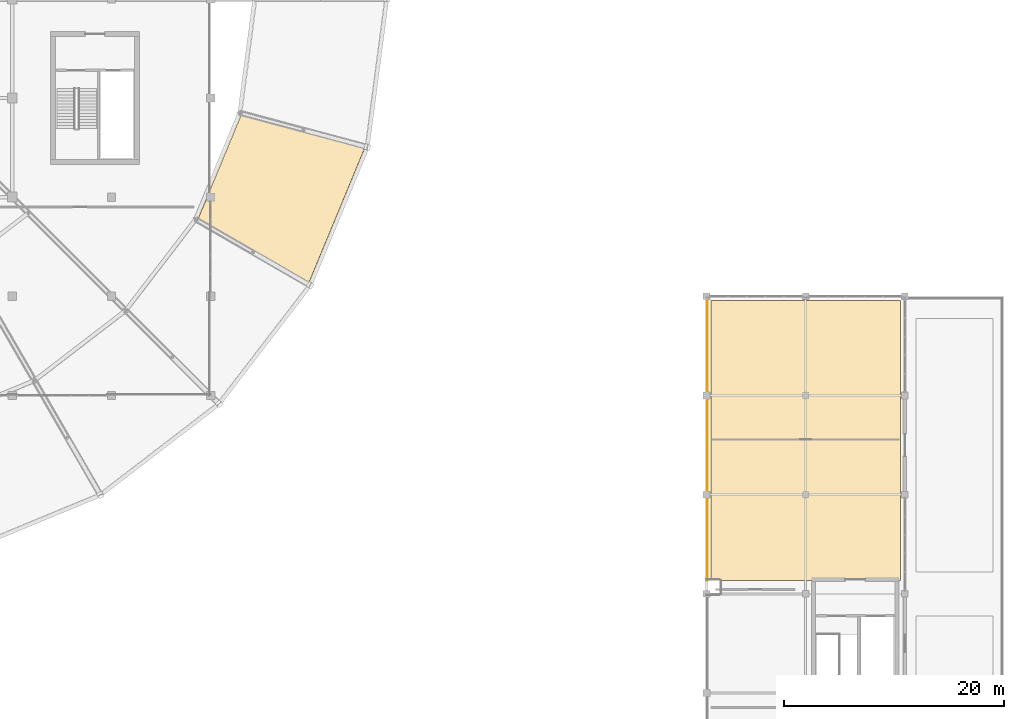
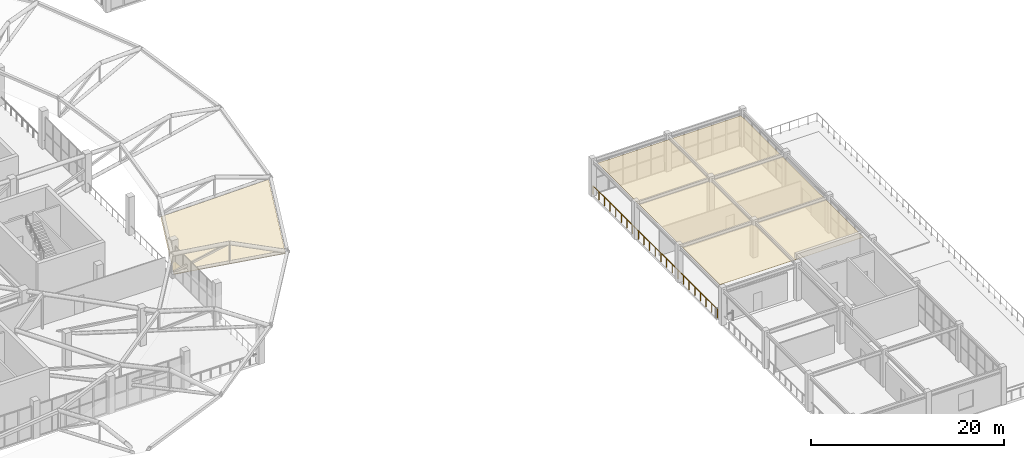
# One storey, part 162 of 167: 2 coverings, 1 railing.
"""IFC4 building model written with IfcOpenShell, lengths in metres."""

from ifc_helpers import new_model, si_unit, direction, frame, origin, origin_2d, place, context, subcontext, project, spatial, polyline, circle, outline, extrude, material, layer, layer_set, type_object, element, save


model = new_model("IFC4")

# Units and contexts
model_context = context("Model", 3, precision=1e-05, world=origin(), true_north=direction((0.0, 1.0)))
body_context = subcontext(model_context, "Body", "Model", "MODEL_VIEW")
ifc_project = project(units=[si_unit("LENGTHUNIT", "METRE"), si_unit("AREAUNIT", "SQUARE_METRE"), si_unit("VOLUMEUNIT", "CUBIC_METRE"), si_unit("PLANEANGLEUNIT", "RADIAN"), si_unit("MASSUNIT", "GRAM", prefix="KILO")], contexts=[model_context])

# Site, building, storey
site_placement = place(None, origin())
site = spatial("IfcSite", under=ifc_project, at=site_placement, CompositionType="ELEMENT")
building_placement = place(site_placement, origin())
building = spatial("IfcBuilding", under=site, at=building_placement, Name="Dornveld Trade and Exhibition Forum", CompositionType="ELEMENT")
storey_placement = place(building_placement, frame((0.0, 0.0, 16.800048828125)))
storey = spatial("IfcBuildingStorey", under=building, at=storey_placement, Name="L03", CompositionType="ELEMENT", Elevation=16.800048828125)

# Coverings
ifc_material_1 = material(Name="Suspended timber-slat acoustic ceiling", Category="wood")
ifc_layer_1 = layer(ifc_material_1, 0.034912109375)
ifc_layer_set_1 = layer_set([ifc_layer_1], Name="Suspended timber-slat acoustic ceiling")
covering_type_1 = type_object("IfcCoveringType", Name="COV-CLG-ACOUST", PredefinedType="CEILING", material=ifc_layer_set_1)
covering_1_placement = place(storey_placement, frame((0.0, 0.0, 4.070068359375)))
element("IfcCovering", 1, at=covering_1_placement, inside=storey, type_object=covering_type_1, Name="L03 acoustic timber-slat ceiling 4", PredefinedType="CEILING", context=body_context, shape_type="SweptSolid", body=[
    extrude(outline(polyline([(198.39990234375, 28.199951171875), (215.60009765625, 28.199951171875), (215.60009765625, 53.60009765625), (198.39990234375, 53.60009765625), (198.39990234375, 28.199951171875)])), origin(), (0.0, 0.0, 1.0), 0.034912109375),
])
ifc_material_2 = material(Name="Acoustic perforated aluminium soffit panel", Category="aluminium")
ifc_layer_2 = layer(ifc_material_2, 0.044921875)
ifc_layer_set_2 = layer_set([ifc_layer_2], Name="Acoustic perforated aluminium soffit panel")
covering_type_2 = type_object("IfcCoveringType", Name="COV-SOFFIT-DISC", PredefinedType="CEILING", material=ifc_layer_set_2)
covering_2_placement = place(storey_placement, frame((151.814208984375, 60.89990234375, 1.9111328125), z_axis=(-0.206203115777, 0.085410312961, 0.974774514174), x_axis=(0.844545114921, -0.487581702923, 0.221376674106)))
element("IfcCovering", 2, at=covering_2_placement, inside=storey, type_object=covering_type_2, Name="Floating disc conical soffit panel 23", PredefinedType="CEILING", context=body_context, shape_type="SweptSolid", body=[
    extrude(outline(polyline([(0.0, 0.0), (11.895044465406349, 2.7755575615628914e-17), (10.17396227641924, 13.41251758413816), (-1.3357933527418937, 10.408971113645803), (0.0, 0.0)])), origin(), (0.0, 0.0, -1.0), 0.044921875),
])

# Railing
ifc_material_3 = material(Name="Dark-bronze steel and laminated glass balustrade", Category="steel")
railing_type = type_object("IfcRailingType", Name="RL-BALUST-CONC", PredefinedType="BALUSTRADE", material=ifc_material_3)
railing_placement = place(storey_placement, frame((198.10009765625, 28.199951171875, 0.0)))
element("IfcRailing", 3, at=railing_placement, inside=storey, type_object=railing_type, Name="L03 deck edge balustrade 173", PredefinedType="BALUSTRADE", context=body_context, shape_type="SweptSolid", body=[
    extrude(circle(Radius=0.02490234375, at=origin_2d()), frame((0.0, 0.0, 1.09521484375), z_axis=(0.0, 1.0, 0.0), x_axis=(-1.0, 0.0, 0.0)), (0.0, 0.0, 1.0), 25.800048828125),
    extrude(circle(Radius=0.02099609375, at=origin_2d()), origin(), (0.0, 0.0, 1.0), 1.070068359375),
    extrude(circle(Radius=0.02099609375, at=origin_2d()), frame((0.0, 1.1728515625, 0.0)), (0.0, 0.0, 1.0), 1.070068359375),
    extrude(circle(Radius=0.02099609375, at=origin_2d()), frame((0.0, 2.345458984375, 0.0)), (0.0, 0.0, 1.0), 1.070068359375),
    extrude(circle(Radius=0.02099609375, at=origin_2d()), frame((0.0, 3.51806640625, 0.0)), (0.0, 0.0, 1.0), 1.070068359375),
    extrude(circle(Radius=0.02099609375, at=origin_2d()), frame((0.0, 4.69091796875, 0.0)), (0.0, 0.0, 1.0), 1.070068359375),
    extrude(circle(Radius=0.02099609375, at=origin_2d()), frame((0.0, 5.86376953125, 0.0)), (0.0, 0.0, 1.0), 1.070068359375),
    extrude(circle(Radius=0.02099609375, at=origin_2d()), frame((0.0, 7.036376953125, 0.0)), (0.0, 0.0, 1.0), 1.070068359375),
    extrude(circle(Radius=0.02099609375, at=origin_2d()), frame((0.0, 8.208984375, 0.0)), (0.0, 0.0, 1.0), 1.070068359375),
    extrude(circle(Radius=0.02099609375, at=origin_2d()), frame((0.0, 9.3818359375, 0.0)), (0.0, 0.0, 1.0), 1.070068359375),
    extrude(circle(Radius=0.02099609375, at=origin_2d()), frame((0.0, 10.5546875, 0.0)), (0.0, 0.0, 1.0), 1.070068359375),
    extrude(circle(Radius=0.02099609375, at=origin_2d()), frame((0.0, 11.727294921875, 0.0)), (0.0, 0.0, 1.0), 1.070068359375),
    extrude(circle(Radius=0.02099609375, at=origin_2d()), frame((0.0, 12.89990234375, 0.0)), (0.0, 0.0, 1.0), 1.070068359375),
    extrude(circle(Radius=0.02099609375, at=origin_2d()), frame((0.0, 14.07275390625, 0.0)), (0.0, 0.0, 1.0), 1.070068359375),
    extrude(circle(Radius=0.02099609375, at=origin_2d()), frame((0.0, 15.24560546875, 0.0)), (0.0, 0.0, 1.0), 1.070068359375),
    extrude(circle(Radius=0.02099609375, at=origin_2d()), frame((0.0, 16.418212890625, 0.0)), (0.0, 0.0, 1.0), 1.070068359375),
    extrude(circle(Radius=0.02099609375, at=origin_2d()), frame((0.0, 17.5908203125, 0.0)), (0.0, 0.0, 1.0), 1.070068359375),
    extrude(circle(Radius=0.02099609375, at=origin_2d()), frame((0.0, 18.763671875, 0.0)), (0.0, 0.0, 1.0), 1.070068359375),
    extrude(circle(Radius=0.02099609375, at=origin_2d()), frame((0.0, 19.9365234375, 0.0)), (0.0, 0.0, 1.0), 1.070068359375),
    extrude(circle(Radius=0.02099609375, at=origin_2d()), frame((0.0, 21.109130859375, 0.0)), (0.0, 0.0, 1.0), 1.070068359375),
    extrude(circle(Radius=0.02099609375, at=origin_2d()), frame((0.0, 22.28173828125, 0.0)), (0.0, 0.0, 1.0), 1.070068359375),
    extrude(circle(Radius=0.02099609375, at=origin_2d()), frame((0.0, 23.45458984375, 0.0)), (0.0, 0.0, 1.0), 1.070068359375),
    extrude(circle(Radius=0.02099609375, at=origin_2d()), frame((0.0, 24.62744140625, 0.0)), (0.0, 0.0, 1.0), 1.070068359375),
    extrude(circle(Radius=0.02099609375, at=origin_2d()), frame((0.0, 25.800048828125, 0.0)), (0.0, 0.0, 1.0), 1.070068359375),
])

save(model, "model.ifc")
